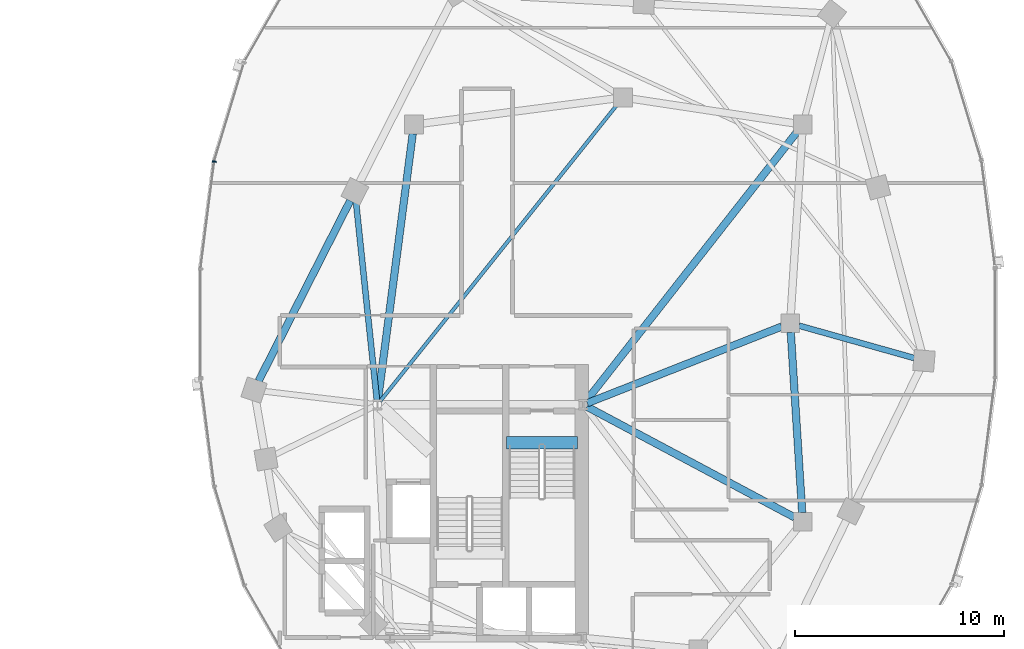
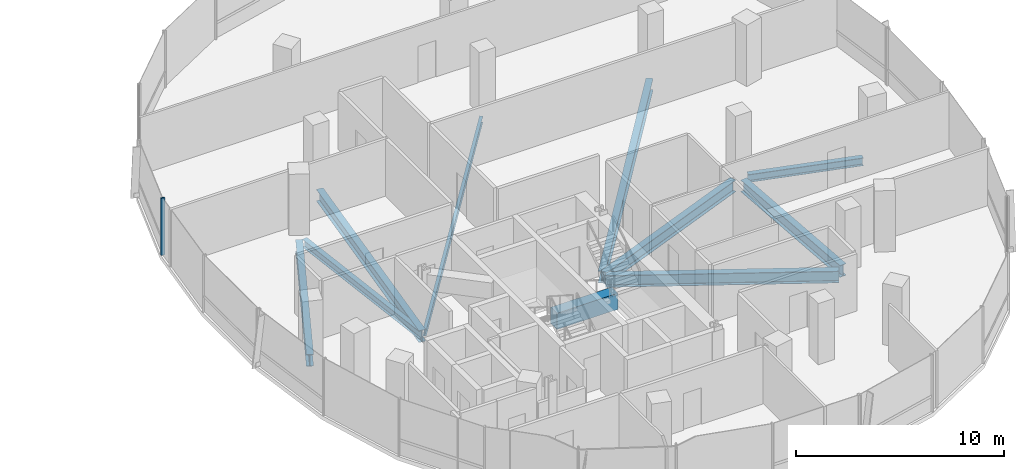
# One storey, part 7 of 23: 10 beams, 1 member, 1 element without a shape of its own.
"""IFC4 building model written with IfcOpenShell, lengths in metres."""

from ifc_helpers import new_model, si_unit, direction, frame, origin, origin_2d, place, context, subcontext, project, spatial, rectangle, i_section, extrude, material, material_profile, profile_set, type_object, element, aggregate, save


model = new_model("IFC4")

# Units and contexts
model_context = context("Model", 3, precision=1e-05, world=origin(), true_north=direction((0.0, 1.0)))
body_context = subcontext(model_context, "Body", "Model", "MODEL_VIEW")
ifc_project = project(units=[si_unit("LENGTHUNIT", "METRE"), si_unit("AREAUNIT", "SQUARE_METRE"), si_unit("VOLUMEUNIT", "CUBIC_METRE"), si_unit("PLANEANGLEUNIT", "RADIAN"), si_unit("MASSUNIT", "GRAM", prefix="KILO"), si_unit("THERMODYNAMICTEMPERATUREUNIT", "KELVIN"), si_unit("POWERUNIT", "WATT")], contexts=[model_context])

# Site, building, storey
site_placement = place(None, origin())
site = spatial("IfcSite", under=ifc_project, at=site_placement, CompositionType="ELEMENT")
building_placement = place(site_placement, origin())
building = spatial("IfcBuilding", under=site, at=building_placement, Name="Cundina Bronze Exchange", CompositionType="ELEMENT")
storey_placement = place(building_placement, frame((0.0, 0.0, 176.39990234375)))
storey = spatial("IfcBuildingStorey", under=building, at=storey_placement, Name="L46", CompositionType="ELEMENT", Elevation=176.39990234375)

# Beams
ifc_material_1 = material(Name="Concrete C60/75", Category="concrete")
ifc_material_profile_1 = material_profile(ifc_material_1, rectangle(XDim=0.60009765625, YDim=0.949951171875, at=origin_2d()), Name="RC600X950", Category="concrete")
ifc_profile_set_1 = profile_set([ifc_material_profile_1], Name="Concrete C60/75")
beam_type_1 = type_object("IfcBeamType", Name="BM-COUP-RC950", PredefinedType="LINTEL", material=ifc_profile_set_1)
beam_1_placement = place(storey_placement, frame((27.6201171875, -5.719970703125, -0.474853515625), z_axis=(1.0, 0.0, 0.0), x_axis=(0.0, 1.0, 0.0)))
element("IfcBeam", 1, at=beam_1_placement, inside=storey, type_object=beam_type_1, Name="L46 Stair E1 Landing Header Beam", PredefinedType="LINTEL", context=body_context, shape_type="SweptSolid", body=[
    extrude(rectangle(XDim=0.60009765625, YDim=0.949951171875, at=origin_2d()), origin(), (0.0, 0.0, 1.0), 3.39990234375),
])
ifc_material_2 = material(Name="Steel ASTM A992 Grade 50", Category="steel")
ifc_material_profile_2 = material_profile(ifc_material_2, i_section(OverallWidth=0.280029296875, OverallDepth=0.462890625, WebThickness=0.0107421875, FlangeThickness=0.017333984375, FilletRadius=0.011962890625, at=origin_2d()), Name="W18X76", Category="steel")
ifc_profile_set_2 = profile_set([ifc_material_profile_2], Name="Steel ASTM A992 Grade 50")
beam_type_2 = type_object("IfcBeamType", Name="BM-FLR-W18A", PredefinedType="BEAM", material=ifc_profile_set_2)
beam_2_placement = place(storey_placement, frame((41.62158203125, -0.11865234375, -0.471435546875), z_axis=(0.962649202648, -0.270751754643, 0.0), x_axis=(0.270751754643, 0.962649202648, 0.0)))
element("IfcBeam", 2, at=beam_2_placement, inside=storey, type_object=beam_type_2, Name="L46 Leg E Chordal Floor Beam 08", PredefinedType="BEAM", context=body_context, shape_type="SweptSolid", body=[
    extrude(i_section(OverallWidth=0.280029296875, OverallDepth=0.462890625, WebThickness=0.0107421875, FlangeThickness=0.017333984375, FilletRadius=0.011962890625, at=origin_2d()), origin(), (0.0, 0.0, 1.0), 5.72216796875),
])
beam_3_placement = place(storey_placement, frame((21.4287109375, -3.697021484375, -0.471435546875), z_axis=(-0.104834931651, 0.9944896365, 0.0), x_axis=(-0.9944896365, -0.104834931651, 0.0)))
element("IfcBeam", 3, at=beam_3_placement, inside=storey, type_object=beam_type_2, Name="L46 Leg E Chordal Floor Beam 13", PredefinedType="BEAM", context=body_context, shape_type="SweptSolid", body=[
    extrude(i_section(OverallWidth=0.280029296875, OverallDepth=0.462890625, WebThickness=0.0107421875, FlangeThickness=0.017333984375, FilletRadius=0.011962890625, at=origin_2d()), origin(), (0.0, 0.0, 1.0), 9.564453125),
])
ifc_material_profile_3 = material_profile(ifc_material_2, i_section(OverallWidth=0.172119140625, OverallDepth=0.35791015625, WebThickness=0.0078125, FlangeThickness=0.01318359375, FilletRadius=0.010009765625, at=origin_2d()), Name="W14X38", Category="steel")
ifc_profile_set_3 = profile_set([ifc_material_profile_3], Name="Steel ASTM A992 Grade 50")
beam_type_3 = type_object("IfcBeamType", Name="BM-JST-W14", PredefinedType="JOIST", material=ifc_profile_set_3)
beam_4_placement = place(storey_placement, frame((21.577392578125, -3.740478515625, -0.4189453125), z_axis=(0.624370675223, 0.781128196854, 0.0), x_axis=(-0.781128196854, 0.624370675223, 0.0)))
element("IfcBeam", 4, at=beam_4_placement, inside=storey, type_object=beam_type_3, Name="L46 E Interior Core-to-Ring Joist 2", PredefinedType="JOIST", context=body_context, shape_type="SweptSolid", body=[
    extrude(i_section(OverallWidth=0.172119140625, OverallDepth=0.35791015625, WebThickness=0.0078125, FlangeThickness=0.01318359375, FilletRadius=0.010009765625, at=origin_2d()), origin(), (0.0, 0.0, 1.0), 18.177001953125),
])
ifc_material_profile_4 = material_profile(ifc_material_2, i_section(OverallWidth=0.35498046875, OverallDepth=0.695068359375, WebThickness=0.015380859375, FlangeThickness=0.02490234375, FilletRadius=0.01806640625, at=origin_2d()), Name="W27X146", Category="steel")
ifc_profile_set_4 = profile_set([ifc_material_profile_4], Name="Steel ASTM A992 Grade 50")
beam_type_4 = type_object("IfcBeamType", Name="BM-RING-W27", PredefinedType="USERDEFINED", material=ifc_profile_set_4)
beam_5_placement = place(storey_placement, frame((41.7724609375, -9.06298828125, -0.58740234375), z_axis=(-0.063046519736, 0.998010589297, 0.0), x_axis=(-0.998010589297, -0.063046519736, 0.0)))
element("IfcBeam", 5, at=beam_5_placement, inside=storey, type_object=beam_type_4, Name="L46 E Inner Structural Ring Girder 03", ObjectType="GIRDER", PredefinedType="USERDEFINED", context=body_context, shape_type="SweptSolid", body=[
    extrude(i_section(OverallWidth=0.35498046875, OverallDepth=0.695068359375, WebThickness=0.015380859375, FlangeThickness=0.02490234375, FilletRadius=0.01806640625, at=origin_2d()), origin(), (0.0, 0.0, 1.0), 8.64306640625),
])
beam_6_placement = place(storey_placement, frame((23.143310546875, 9.065673828125, -0.58740234375), z_axis=(-0.129507030047, -0.991578503785, 0.0), x_axis=(0.991578503785, -0.129507030047, 0.0)))
element("IfcBeam", 6, at=beam_6_placement, inside=storey, type_object=beam_type_4, Name="L46 E Inner Structural Ring Girder 07", ObjectType="GIRDER", PredefinedType="USERDEFINED", context=body_context, shape_type="SweptSolid", body=[
    extrude(i_section(OverallWidth=0.35498046875, OverallDepth=0.695068359375, WebThickness=0.015380859375, FlangeThickness=0.02490234375, FilletRadius=0.01806640625, at=origin_2d()), origin(), (0.0, 0.0, 1.0), 12.871826171875),
])
beam_7_placement = place(storey_placement, frame((31.48974609375, -3.8251953125, -0.58740234375), z_axis=(0.930405617189, 0.36653156413, 0.0), x_axis=(-0.36653156413, 0.930405617189, 0.0)))
element("IfcBeam", 7, at=beam_7_placement, inside=storey, type_object=beam_type_4, Name="L46 E Core-to-Waist Tie Beam 1", ObjectType="GIRDER", PredefinedType="USERDEFINED", context=body_context, shape_type="SweptSolid", body=[
    extrude(i_section(OverallWidth=0.35498046875, OverallDepth=0.695068359375, WebThickness=0.015380859375, FlangeThickness=0.02490234375, FilletRadius=0.01806640625, at=origin_2d()), origin(), (0.0, 0.0, 1.0), 9.99853515625),
])
beam_8_placement = place(storey_placement, frame((31.47998046875, -3.99609375, -0.58740234375), z_axis=(0.88235534237, -0.470583733028, 0.0), x_axis=(0.470583733028, 0.88235534237, 0.0)))
element("IfcBeam", 8, at=beam_8_placement, inside=storey, type_object=beam_type_4, Name="L46 E Core-to-Waist Tie Beam 2", ObjectType="GIRDER", PredefinedType="USERDEFINED", context=body_context, shape_type="SweptSolid", body=[
    extrude(i_section(OverallWidth=0.35498046875, OverallDepth=0.695068359375, WebThickness=0.015380859375, FlangeThickness=0.02490234375, FilletRadius=0.01806640625, at=origin_2d()), origin(), (0.0, 0.0, 1.0), 11.258056640625),
])
beam_9_placement = place(storey_placement, frame((31.42578125, -3.739501953125, -0.58740234375), z_axis=(0.616779109924, 0.787136283982, 0.0), x_axis=(-0.787136283982, 0.616779109924, 0.0)))
element("IfcBeam", 9, at=beam_9_placement, inside=storey, type_object=beam_type_4, Name="L46 E Core-to-Waist Tie Beam 3", ObjectType="GIRDER", PredefinedType="USERDEFINED", context=body_context, shape_type="SweptSolid", body=[
    extrude(i_section(OverallWidth=0.35498046875, OverallDepth=0.695068359375, WebThickness=0.015380859375, FlangeThickness=0.02490234375, FilletRadius=0.01806640625, at=origin_2d()), origin(), (0.0, 0.0, 1.0), 16.3818359375),
])
beam_10_placement = place(storey_placement, frame((20.154052734375, 5.864990234375, -0.58740234375), z_axis=(-0.452834585354, -0.891594548159, 0.0), x_axis=(0.891594548159, -0.452834585354, 0.0)))
element("IfcBeam", 10, at=beam_10_placement, inside=storey, type_object=beam_type_4, Name="L46 E Perimeter Ring Girder 13", ObjectType="GIRDER", PredefinedType="USERDEFINED", context=body_context, shape_type="SweptSolid", body=[
    extrude(i_section(OverallWidth=0.35498046875, OverallDepth=0.695068359375, WebThickness=0.015380859375, FlangeThickness=0.02490234375, FilletRadius=0.01806640625, at=origin_2d()), origin(), (0.0, 0.0, 1.0), 9.67919921875),
])

# Curtain wall, member
ifc_material_3 = material(Name="Anodised Bronze Aluminium 6063-T6", Category="aluminium")
curtain_wall_type = type_object("IfcCurtainWallType", Name="CWS-WST-PIN", PredefinedType="NOTDEFINED", material=ifc_material_3)
curtain_wall_placement = place(storey_placement, origin())
curtain_wall = element("IfcCurtainWall", 11, at=curtain_wall_placement, inside=storey, type_object=curtain_wall_type, Name="L46 CW-04 Curtain Wall Run CWR-L46-E2", PredefinedType="NOTDEFINED")
ifc_material_profile_5 = material_profile(ifc_material_3, rectangle(XDim=0.070068359375, YDim=0.18994140625, at=origin_2d()), Name="AL70X190", Category="aluminium")
ifc_profile_set_5 = profile_set([ifc_material_profile_5], Name="Anodised Bronze Aluminium 6063-T6")
member_type = type_object("IfcMemberType", Name="CWM-MUL-190", PredefinedType="MULLION", material=ifc_profile_set_5)
member_placement = place(storey_placement, frame((13.642822265625, 7.731689453125, 0.0), z_axis=(0.0, 0.0, 1.0), x_axis=(-0.126545236492, -0.991960837494, 0.0)))
member = element("IfcMember", 12, at=member_placement, type_object=member_type, Name="CW-04 Mullion 6", PredefinedType="MULLION", context=body_context, shape_type="SweptSolid", body=[
    extrude(rectangle(XDim=0.070068359375, YDim=0.18994140625, at=origin_2d()), origin(), (0.0, 0.0, 1.0), 3.360107421875),
])
aggregate(curtain_wall, [member])

save(model, "model.ifc")
